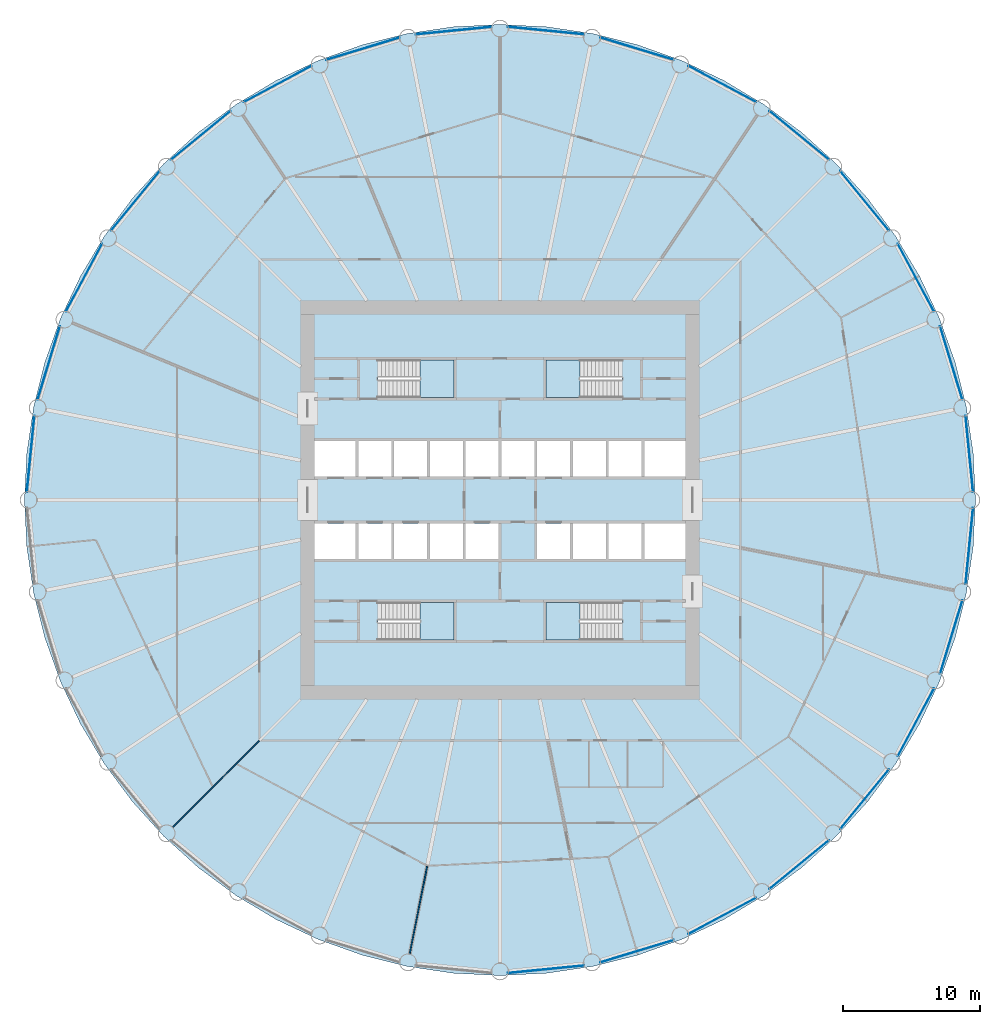
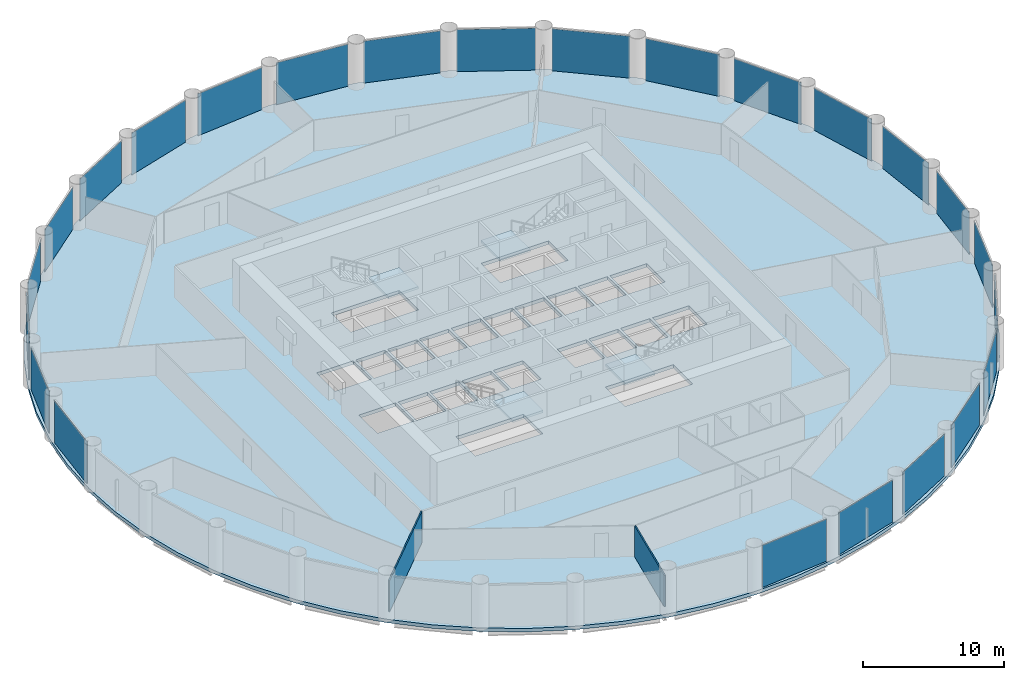
# One storey, part 3 of 8: 24 plates, 5 slabs, 2 walls, 28 elements without a shape of their own.
"""IFC4 building model written with IfcOpenShell, lengths in metres."""

from ifc_helpers import new_model, si_unit, direction, frame, frame_2d, origin, origin_2d, place, context, subcontext, project, spatial, polyline, rectangle, outline, extrude, material, layer, layer_set, type_object, element, aggregate, save


model = new_model("IFC4")

# Units and contexts
model_context = context("Model", 3, precision=1e-05, world=origin(), true_north=direction((0.0, 1.0)))
body_context = subcontext(model_context, "Body", "Model", "MODEL_VIEW")
ifc_project = project(units=[si_unit("LENGTHUNIT", "METRE"), si_unit("AREAUNIT", "SQUARE_METRE"), si_unit("VOLUMEUNIT", "CUBIC_METRE"), si_unit("PLANEANGLEUNIT", "RADIAN"), si_unit("MASSUNIT", "GRAM", prefix="KILO")], contexts=[model_context])

# Site, building, storey
site_placement = place(None, origin())
site = spatial("IfcSite", under=ifc_project, at=site_placement, CompositionType="ELEMENT")
building_placement = place(site_placement, origin())
building = spatial("IfcBuilding", under=site, at=building_placement, Name="Corvane Civic Tower", CompositionType="ELEMENT")
storey_placement = place(building_placement, frame((0.0, 0.0, 94.5)))
storey = spatial("IfcBuildingStorey", under=building, at=storey_placement, Name="L21", CompositionType="ELEMENT", Elevation=94.5)

# Slab
ifc_material_1 = material(Name="Concrete C40/50", Category="concrete")
ifc_layer_1 = layer(ifc_material_1, 0.300048828125)
ifc_layer_set_1 = layer_set([ifc_layer_1], Name="Concrete C40/50")
slab_type_1 = type_object("IfcSlabType", Name="FLOOR SLAB 300", PredefinedType="FLOOR", material=ifc_layer_set_1)
slab_1_placement = place(storey_placement, frame((0.0, 0.0, -0.300048828125)))
element("IfcSlab", 1, at=slab_1_placement, inside=storey, type_object=slab_type_1, Name="SLB-L21", PredefinedType="FLOOR", context=body_context, shape_type="SweptSolid", body=[
    extrude(outline(polyline([(0.0, 34.60009765625), (-3.391357421875, 34.433349609375), (-6.750244140625, 33.93505859375), (-10.0439453125, 33.110107421875), (-13.240966796875, 31.96630859375), (-16.310302734375, 30.514404296875), (-19.22265625, 28.768798828125), (-21.949951171875, 26.74609375), (-24.4658203125, 24.4658203125), (-26.74609375, 21.949951171875), (-28.768798828125, 19.22265625), (-30.514404296875, 16.310302734375), (-31.96630859375, 13.240966796875), (-33.110107421875, 10.0439453125), (-33.93505859375, 6.750244140625), (-34.433349609375, 3.391357421875), (-34.60009765625, 0.0), (-34.433349609375, -3.391357421875), (-33.93505859375, -6.750244140625), (-33.110107421875, -10.0439453125), (-31.96630859375, -13.240966796875), (-30.514404296875, -16.310302734375), (-28.768798828125, -19.22265625), (-26.74609375, -21.949951171875), (-24.4658203125, -24.4658203125), (-21.949951171875, -26.74609375), (-19.22265625, -28.768798828125), (-16.310302734375, -30.514404296875), (-13.240966796875, -31.96630859375), (-10.0439453125, -33.110107421875), (-6.750244140625, -33.93505859375), (-3.391357421875, -34.433349609375), (0.0, -34.60009765625), (3.391357421875, -34.433349609375), (6.750244140625, -33.93505859375), (10.0439453125, -33.110107421875), (13.240966796875, -31.96630859375), (16.310302734375, -30.514404296875), (19.22265625, -28.768798828125), (21.949951171875, -26.74609375), (24.4658203125, -24.4658203125), (26.74609375, -21.949951171875), (28.768798828125, -19.22265625), (30.514404296875, -16.310302734375), (31.96630859375, -13.240966796875), (33.110107421875, -10.0439453125), (33.93505859375, -6.750244140625), (34.433349609375, -3.391357421875), (34.60009765625, 0.0), (34.433349609375, 3.391357421875), (33.93505859375, 6.750244140625), (33.110107421875, 10.0439453125), (31.96630859375, 13.240966796875), (30.514404296875, 16.310302734375), (28.768798828125, 19.22265625), (26.74609375, 21.949951171875), (24.4658203125, 24.4658203125), (21.949951171875, 26.74609375), (19.22265625, 28.768798828125), (16.310302734375, 30.514404296875), (13.240966796875, 31.96630859375), (10.0439453125, 33.110107421875), (6.750244140625, 33.93505859375), (3.391357421875, 34.433349609375), (0.0, 34.60009765625)]), holes=[polyline([(-13.5, 4.300048828125), (-10.5, 4.300048828125), (-10.5, 1.699951171875), (-13.5, 1.699951171875), (-13.5, 4.300048828125)]), polyline([(-7.89990234375, 1.699951171875), (-10.300048828125, 1.699951171875), (-10.300048828125, 4.300048828125), (-7.89990234375, 4.300048828125), (-7.89990234375, 1.699951171875)]), polyline([(-7.699951171875, 4.300048828125), (-5.300048828125, 4.300048828125), (-5.300048828125, 1.699951171875), (-7.699951171875, 1.699951171875), (-7.699951171875, 4.300048828125)]), polyline([(-5.10009765625, 4.300048828125), (-2.699951171875, 4.300048828125), (-2.699951171875, 1.699951171875), (-5.10009765625, 1.699951171875), (-5.10009765625, 4.300048828125)]), polyline([(-0.10009765625, 1.699951171875), (-2.5, 1.699951171875), (-2.5, 4.300048828125), (-0.10009765625, 4.300048828125), (-0.10009765625, 1.699951171875)]), polyline([(2.5, 1.699951171875), (0.10009765625, 1.699951171875), (0.10009765625, 4.300048828125), (2.5, 4.300048828125), (2.5, 1.699951171875)]), polyline([(5.10009765625, 1.699951171875), (2.699951171875, 1.699951171875), (2.699951171875, 4.300048828125), (5.10009765625, 4.300048828125), (5.10009765625, 1.699951171875)]), polyline([(5.300048828125, 4.300048828125), (7.699951171875, 4.300048828125), (7.699951171875, 1.699951171875), (5.300048828125, 1.699951171875), (5.300048828125, 4.300048828125)]), polyline([(7.89990234375, 4.300048828125), (10.300048828125, 4.300048828125), (10.300048828125, 1.699951171875), (7.89990234375, 1.699951171875), (7.89990234375, 4.300048828125)]), polyline([(13.5, 1.699951171875), (10.5, 1.699951171875), (10.5, 4.300048828125), (13.5, 4.300048828125), (13.5, 1.699951171875)]), polyline([(-13.5, -1.699951171875), (-10.5, -1.699951171875), (-10.5, -4.300048828125), (-13.5, -4.300048828125), (-13.5, -1.699951171875)]), polyline([(-7.89990234375, -1.699951171875), (-7.89990234375, -4.300048828125), (-10.300048828125, -4.300048828125), (-10.300048828125, -1.699951171875), (-7.89990234375, -1.699951171875)]), polyline([(-5.300048828125, -1.699951171875), (-5.300048828125, -4.300048828125), (-7.699951171875, -4.300048828125), (-7.699951171875, -1.699951171875), (-5.300048828125, -1.699951171875)]), polyline([(-2.699951171875, -1.699951171875), (-2.699951171875, -4.300048828125), (-5.10009765625, -4.300048828125), (-5.10009765625, -1.699951171875), (-2.699951171875, -1.699951171875)]), polyline([(-2.5, -4.300048828125), (-2.5, -1.699951171875), (-0.10009765625, -1.699951171875), (-0.10009765625, -4.300048828125), (-2.5, -4.300048828125)]), polyline([(5.10009765625, -1.699951171875), (5.10009765625, -4.300048828125), (2.699951171875, -4.300048828125), (2.699951171875, -1.699951171875), (5.10009765625, -1.699951171875)]), polyline([(7.699951171875, -1.699951171875), (7.699951171875, -4.300048828125), (5.300048828125, -4.300048828125), (5.300048828125, -1.699951171875), (7.699951171875, -1.699951171875)]), polyline([(10.300048828125, -1.699951171875), (10.300048828125, -4.300048828125), (7.89990234375, -4.300048828125), (7.89990234375, -1.699951171875), (10.300048828125, -1.699951171875)]), polyline([(13.5, -4.300048828125), (10.5, -4.300048828125), (10.5, -1.699951171875), (13.5, -1.699951171875), (13.5, -4.300048828125)]), polyline([(8.889892578125, 10.199951171875), (8.889892578125, 7.449951171875), (3.35009765625, 7.449951171875), (3.35009765625, 10.199951171875), (8.889892578125, 10.199951171875)]), polyline([(-8.889892578125, 7.449951171875), (-8.889892578125, 10.199951171875), (-3.35009765625, 10.199951171875), (-3.35009765625, 7.449951171875), (-8.889892578125, 7.449951171875)]), polyline([(8.889892578125, -7.449951171875), (8.889892578125, -10.199951171875), (3.35009765625, -10.199951171875), (3.35009765625, -7.449951171875), (8.889892578125, -7.449951171875)]), polyline([(-8.889892578125, -10.199951171875), (-8.889892578125, -7.449951171875), (-3.35009765625, -7.449951171875), (-3.35009765625, -10.199951171875), (-8.889892578125, -10.199951171875)])]), origin(), (0.0, 0.0, 1.0), 0.300048828125),
])

# Stair, slab
ifc_material_2 = material(Name="Concrete C40/50", Category="concrete")
stair_type = type_object("IfcStairType", Name="ST-STAIR-HALFTURN", PredefinedType="HALF_TURN_STAIR", material=ifc_material_2)
stair_1_placement = place(storey_placement, origin())
stair_1 = element("IfcStair", 2, at=stair_1_placement, inside=storey, type_object=stair_type, Name="L21 Exit stair ST1", PredefinedType="HALF_TURN_STAIR")
ifc_material_3 = material(Name="Concrete C40/50", Category="concrete")
ifc_layer_2 = layer(ifc_material_3, 0.199951171875)
ifc_layer_set_2 = layer_set([ifc_layer_2], Name="Concrete C40/50")
slab_type_2 = type_object("IfcSlabType", Name="ST-LANDING-RC", PredefinedType="LANDING", material=ifc_layer_set_2)
slab_2_placement = place(storey_placement, frame((0.0, 0.0, 1.800048828125)))
slab_2 = element("IfcSlab", 3, at=slab_2_placement, type_object=slab_type_2, Name="ST1 landing 1", PredefinedType="LANDING", context=body_context, shape_type="SweptSolid", body=[
    extrude(outline(polyline([(5.820068359375, 10.199951171875), (3.35009765625, 10.199951171875), (3.35009765625, 7.449951171875), (5.820068359375, 7.449951171875), (5.820068359375, 10.199951171875)])), origin(), (0.0, 0.0, 1.0), 0.199951171875),
])
aggregate(stair_1, [slab_2])

stair_2_placement = place(storey_placement, origin())
stair_2 = element("IfcStair", 4, at=stair_2_placement, inside=storey, type_object=stair_type, Name="L21 Exit stair ST2", PredefinedType="HALF_TURN_STAIR")
slab_3_placement = place(storey_placement, frame((0.0, 0.0, 1.800048828125)))
slab_3 = element("IfcSlab", 5, at=slab_3_placement, type_object=slab_type_2, Name="ST2 landing 1", PredefinedType="LANDING", context=body_context, shape_type="SweptSolid", body=[
    extrude(outline(polyline([(5.820068359375, -7.449951171875), (3.35009765625, -7.449951171875), (3.35009765625, -10.199951171875), (5.820068359375, -10.199951171875), (5.820068359375, -7.449951171875)])), origin(), (0.0, 0.0, 1.0), 0.199951171875),
])
aggregate(stair_2, [slab_3])

stair_3_placement = place(storey_placement, origin())
stair_3 = element("IfcStair", 6, at=stair_3_placement, inside=storey, type_object=stair_type, Name="L21 Exit stair ST3", PredefinedType="HALF_TURN_STAIR")
slab_4_placement = place(storey_placement, frame((0.0, 0.0, 1.800048828125)))
slab_4 = element("IfcSlab", 7, at=slab_4_placement, type_object=slab_type_2, Name="ST3 landing 1", PredefinedType="LANDING", context=body_context, shape_type="SweptSolid", body=[
    extrude(outline(polyline([(-5.820068359375, -10.199951171875), (-3.35009765625, -10.199951171875), (-3.35009765625, -7.449951171875), (-5.820068359375, -7.449951171875), (-5.820068359375, -10.199951171875)])), origin(), (0.0, 0.0, 1.0), 0.199951171875),
])
aggregate(stair_3, [slab_4])

stair_4_placement = place(storey_placement, origin())
stair_4 = element("IfcStair", 8, at=stair_4_placement, inside=storey, type_object=stair_type, Name="L21 Exit stair ST4", PredefinedType="HALF_TURN_STAIR")
slab_5_placement = place(storey_placement, frame((0.0, 0.0, 1.800048828125)))
slab_5 = element("IfcSlab", 9, at=slab_5_placement, type_object=slab_type_2, Name="ST4 landing 1", PredefinedType="LANDING", context=body_context, shape_type="SweptSolid", body=[
    extrude(outline(polyline([(-5.820068359375, 7.449951171875), (-3.35009765625, 7.449951171875), (-3.35009765625, 10.199951171875), (-5.820068359375, 10.199951171875), (-5.820068359375, 7.449951171875)])), origin(), (0.0, 0.0, 1.0), 0.199951171875),
])
aggregate(stair_4, [slab_5])

# Curtain wall, plate
ifc_material_4 = material(Name="Anodised aluminium bronze", Category="aluminium")
curtain_wall_type = type_object("IfcCurtainWallType", Name="TOWER CW-T1 STICK CURTAIN WALL", PredefinedType="NOTDEFINED", material=ifc_material_4)
curtain_wall_1_placement = place(storey_placement, origin())
curtain_wall_1 = element("IfcCurtainWall", 10, at=curtain_wall_1_placement, inside=storey, type_object=curtain_wall_type, Name="Curtain wall CW-T1 L21 bay 01", PredefinedType="NOTDEFINED")
ifc_material_5 = material(Name="Tinted glass", Category="glass")
ifc_layer_3 = layer(ifc_material_5, 0.035888671875)
ifc_layer_set_3 = layer_set([ifc_layer_3], Name="Tinted glass")
plate_type = type_object("IfcPlateType", Name="TOWER CW-T1 PANEL IGU36", PredefinedType="CURTAIN_PANEL", material=ifc_layer_set_3)
plate_1_placement = place(storey_placement, frame((3.36328125, 34.148681640625, 0.0), z_axis=(0.0, 0.0, 1.0), x_axis=(0.995183788169, -0.098026668644, 0.0)))
plate_1 = element("IfcPlate", 11, at=plate_1_placement, type_object=plate_type, Name="Glass panel CW-T1 L21 01.1", PredefinedType="CURTAIN_PANEL", context=body_context, shape_type="SweptSolid", body=[
    extrude(rectangle(XDim=5.58642578125, YDim=0.035888671875, at=origin_2d()), origin(), (0.0, 0.0, 1.0), 3.6298828125),
])
aggregate(curtain_wall_1, [plate_1])

curtain_wall_2_placement = place(storey_placement, origin())
curtain_wall_2 = element("IfcCurtainWall", 12, at=curtain_wall_2_placement, inside=storey, type_object=curtain_wall_type, Name="Curtain wall CW-T1 L21 bay 02", PredefinedType="NOTDEFINED")
plate_2_placement = place(storey_placement, frame((9.9609375, 32.83642578125, 0.0), z_axis=(0.0, 0.0, 1.0), x_axis=(0.956945991488, -0.290266032073, 0.0)))
plate_2 = element("IfcPlate", 13, at=plate_2_placement, type_object=plate_type, Name="Glass panel CW-T1 L21 02.1", PredefinedType="CURTAIN_PANEL", context=body_context, shape_type="SweptSolid", body=[
    extrude(rectangle(XDim=5.58642578125, YDim=0.035888671875, at=origin_2d()), origin(), (0.0, 0.0, 1.0), 3.6298828125),
])
aggregate(curtain_wall_2, [plate_2])

curtain_wall_3_placement = place(storey_placement, origin())
curtain_wall_3 = element("IfcCurtainWall", 14, at=curtain_wall_3_placement, inside=storey, type_object=curtain_wall_type, Name="Curtain wall CW-T1 L21 bay 03", PredefinedType="NOTDEFINED")
plate_3_placement = place(storey_placement, frame((16.175537109375, 30.26220703125, 0.0), z_axis=(0.0, 0.0, 1.0), x_axis=(0.881923642976, -0.471392286699, 0.0)))
plate_3 = element("IfcPlate", 15, at=plate_3_placement, type_object=plate_type, Name="Glass panel CW-T1 L21 03.1", PredefinedType="CURTAIN_PANEL", context=body_context, shape_type="SweptSolid", body=[
    extrude(rectangle(XDim=5.586669921875, YDim=0.035888671875, at=origin_2d()), origin(), (0.0, 0.0, 1.0), 3.6298828125),
])
aggregate(curtain_wall_3, [plate_3])

curtain_wall_4_placement = place(storey_placement, origin())
curtain_wall_4 = element("IfcCurtainWall", 16, at=curtain_wall_4_placement, inside=storey, type_object=curtain_wall_type, Name="Curtain wall CW-T1 L21 bay 04", PredefinedType="NOTDEFINED")
plate_4_placement = place(storey_placement, frame((21.7685546875, 26.525146484375, 0.0), z_axis=(0.0, 0.0, 1.0), x_axis=(0.773013419843, -0.63438966948, 0.0)))
plate_4 = element("IfcPlate", 17, at=plate_4_placement, type_object=plate_type, Name="Glass panel CW-T1 L21 04.1", PredefinedType="CURTAIN_PANEL", context=body_context, shape_type="SweptSolid", body=[
    extrude(rectangle(XDim=5.58642578125, YDim=0.035888671875, at=origin_2d()), origin(), (0.0, 0.0, 1.0), 3.6298828125),
])
aggregate(curtain_wall_4, [plate_4])

curtain_wall_5_placement = place(storey_placement, origin())
curtain_wall_5 = element("IfcCurtainWall", 18, at=curtain_wall_5_placement, inside=storey, type_object=curtain_wall_type, Name="Curtain wall CW-T1 L21 bay 05", PredefinedType="NOTDEFINED")
plate_5_placement = place(storey_placement, frame((26.525146484375, 21.7685546875, 0.0), z_axis=(0.0, 0.0, 1.0), x_axis=(0.63438966948, -0.773013419843, 0.0)))
plate_5 = element("IfcPlate", 19, at=plate_5_placement, type_object=plate_type, Name="Glass panel CW-T1 L21 05.1", PredefinedType="CURTAIN_PANEL", context=body_context, shape_type="SweptSolid", body=[
    extrude(rectangle(XDim=5.58642578125, YDim=0.035888671875, at=origin_2d()), origin(), (0.0, 0.0, 1.0), 3.6298828125),
])
aggregate(curtain_wall_5, [plate_5])

curtain_wall_6_placement = place(storey_placement, origin())
curtain_wall_6 = element("IfcCurtainWall", 20, at=curtain_wall_6_placement, inside=storey, type_object=curtain_wall_type, Name="Curtain wall CW-T1 L21 bay 06", PredefinedType="NOTDEFINED")
plate_6_placement = place(storey_placement, frame((30.26220703125, 16.175537109375, 0.0), z_axis=(0.0, 0.0, 1.0), x_axis=(0.471392286699, -0.881923642976, 0.0)))
plate_6 = element("IfcPlate", 21, at=plate_6_placement, type_object=plate_type, Name="Glass panel CW-T1 L21 06.1", PredefinedType="CURTAIN_PANEL", context=body_context, shape_type="SweptSolid", body=[
    extrude(rectangle(XDim=5.586669921875, YDim=0.035888671875, at=origin_2d()), origin(), (0.0, 0.0, 1.0), 3.6298828125),
])
aggregate(curtain_wall_6, [plate_6])

curtain_wall_7_placement = place(storey_placement, origin())
curtain_wall_7 = element("IfcCurtainWall", 22, at=curtain_wall_7_placement, inside=storey, type_object=curtain_wall_type, Name="Curtain wall CW-T1 L21 bay 07", PredefinedType="NOTDEFINED")
plate_7_placement = place(storey_placement, frame((32.83642578125, 9.9609375, 0.0), z_axis=(0.0, 0.0, 1.0), x_axis=(0.290266032073, -0.956945991488, 0.0)))
plate_7 = element("IfcPlate", 23, at=plate_7_placement, type_object=plate_type, Name="Glass panel CW-T1 L21 07.1", PredefinedType="CURTAIN_PANEL", context=body_context, shape_type="SweptSolid", body=[
    extrude(rectangle(XDim=5.58642578125, YDim=0.035888671875, at=origin_2d()), origin(), (0.0, 0.0, 1.0), 3.6298828125),
])
aggregate(curtain_wall_7, [plate_7])

curtain_wall_8_placement = place(storey_placement, origin())
curtain_wall_8 = element("IfcCurtainWall", 24, at=curtain_wall_8_placement, inside=storey, type_object=curtain_wall_type, Name="Curtain wall CW-T1 L21 bay 08", PredefinedType="NOTDEFINED")
plate_8_placement = place(storey_placement, frame((34.148681640625, 3.36328125, 0.0), z_axis=(0.0, 0.0, 1.0), x_axis=(0.098026668644, -0.995183788169, 0.0)))
plate_8 = element("IfcPlate", 25, at=plate_8_placement, type_object=plate_type, Name="Glass panel CW-T1 L21 08.1", PredefinedType="CURTAIN_PANEL", context=body_context, shape_type="SweptSolid", body=[
    extrude(rectangle(XDim=5.58642578125, YDim=0.035888671875, at=origin_2d()), origin(), (0.0, 0.0, 1.0), 3.6298828125),
])
aggregate(curtain_wall_8, [plate_8])

curtain_wall_9_placement = place(storey_placement, origin())
curtain_wall_9 = element("IfcCurtainWall", 26, at=curtain_wall_9_placement, inside=storey, type_object=curtain_wall_type, Name="Curtain wall CW-T1 L21 bay 09", PredefinedType="NOTDEFINED")
plate_9_placement = place(storey_placement, frame((34.148681640625, -3.36328125, 0.0), z_axis=(0.0, 0.0, 1.0), x_axis=(-0.098026668644, -0.995183788169, 0.0)))
plate_9 = element("IfcPlate", 27, at=plate_9_placement, type_object=plate_type, Name="Glass panel CW-T1 L21 09.1", PredefinedType="CURTAIN_PANEL", context=body_context, shape_type="SweptSolid", body=[
    extrude(rectangle(XDim=5.58642578125, YDim=0.035888671875, at=origin_2d()), origin(), (0.0, 0.0, 1.0), 3.6298828125),
])
aggregate(curtain_wall_9, [plate_9])

curtain_wall_10_placement = place(storey_placement, origin())
curtain_wall_10 = element("IfcCurtainWall", 28, at=curtain_wall_10_placement, inside=storey, type_object=curtain_wall_type, Name="Curtain wall CW-T1 L21 bay 10", PredefinedType="NOTDEFINED")
plate_10_placement = place(storey_placement, frame((32.83642578125, -9.9609375, 0.0), z_axis=(0.0, 0.0, 1.0), x_axis=(-0.290266032073, -0.956945991488, 0.0)))
plate_10 = element("IfcPlate", 29, at=plate_10_placement, type_object=plate_type, Name="Glass panel CW-T1 L21 10.1", PredefinedType="CURTAIN_PANEL", context=body_context, shape_type="SweptSolid", body=[
    extrude(rectangle(XDim=5.58642578125, YDim=0.035888671875, at=origin_2d()), origin(), (0.0, 0.0, 1.0), 3.6298828125),
])
aggregate(curtain_wall_10, [plate_10])

curtain_wall_11_placement = place(storey_placement, origin())
curtain_wall_11 = element("IfcCurtainWall", 30, at=curtain_wall_11_placement, inside=storey, type_object=curtain_wall_type, Name="Curtain wall CW-T1 L21 bay 11", PredefinedType="NOTDEFINED")
plate_11_placement = place(storey_placement, frame((30.26220703125, -16.175537109375, 0.0), z_axis=(0.0, 0.0, 1.0), x_axis=(-0.471392286699, -0.881923642976, 0.0)))
plate_11 = element("IfcPlate", 31, at=plate_11_placement, type_object=plate_type, Name="Glass panel CW-T1 L21 11.1", PredefinedType="CURTAIN_PANEL", context=body_context, shape_type="SweptSolid", body=[
    extrude(rectangle(XDim=5.586669921875, YDim=0.035888671875, at=origin_2d()), origin(), (0.0, 0.0, 1.0), 3.6298828125),
])
aggregate(curtain_wall_11, [plate_11])

curtain_wall_12_placement = place(storey_placement, origin())
curtain_wall_12 = element("IfcCurtainWall", 32, at=curtain_wall_12_placement, inside=storey, type_object=curtain_wall_type, Name="Curtain wall CW-T1 L21 bay 12", PredefinedType="NOTDEFINED")
plate_12_placement = place(storey_placement, frame((26.525146484375, -21.7685546875, 0.0), z_axis=(0.0, 0.0, 1.0), x_axis=(-0.63438966948, -0.773013419843, 0.0)))
plate_12 = element("IfcPlate", 33, at=plate_12_placement, type_object=plate_type, Name="Glass panel CW-T1 L21 12.1", PredefinedType="CURTAIN_PANEL", context=body_context, shape_type="SweptSolid", body=[
    extrude(rectangle(XDim=5.58642578125, YDim=0.035888671875, at=origin_2d()), origin(), (0.0, 0.0, 1.0), 3.6298828125),
])
aggregate(curtain_wall_12, [plate_12])

curtain_wall_13_placement = place(storey_placement, origin())
curtain_wall_13 = element("IfcCurtainWall", 34, at=curtain_wall_13_placement, inside=storey, type_object=curtain_wall_type, Name="Curtain wall CW-T1 L21 bay 13", PredefinedType="NOTDEFINED")
plate_13_placement = place(storey_placement, frame((21.7685546875, -26.525146484375, 0.0), z_axis=(0.0, 0.0, 1.0), x_axis=(-0.773013419843, -0.63438966948, 0.0)))
plate_13 = element("IfcPlate", 35, at=plate_13_placement, type_object=plate_type, Name="Glass panel CW-T1 L21 13.1", PredefinedType="CURTAIN_PANEL", context=body_context, shape_type="SweptSolid", body=[
    extrude(rectangle(XDim=5.58642578125, YDim=0.035888671875, at=origin_2d()), origin(), (0.0, 0.0, 1.0), 3.6298828125),
])
aggregate(curtain_wall_13, [plate_13])

curtain_wall_14_placement = place(storey_placement, origin())
curtain_wall_14 = element("IfcCurtainWall", 36, at=curtain_wall_14_placement, inside=storey, type_object=curtain_wall_type, Name="Curtain wall CW-T1 L21 bay 14", PredefinedType="NOTDEFINED")
plate_14_placement = place(storey_placement, frame((16.175537109375, -30.26220703125, 0.0), z_axis=(0.0, 0.0, 1.0), x_axis=(-0.881923642976, -0.471392286699, 0.0)))
plate_14 = element("IfcPlate", 37, at=plate_14_placement, type_object=plate_type, Name="Glass panel CW-T1 L21 14.1", PredefinedType="CURTAIN_PANEL", context=body_context, shape_type="SweptSolid", body=[
    extrude(rectangle(XDim=5.586669921875, YDim=0.035888671875, at=origin_2d()), origin(), (0.0, 0.0, 1.0), 3.6298828125),
])
aggregate(curtain_wall_14, [plate_14])

curtain_wall_15_placement = place(storey_placement, origin())
curtain_wall_15 = element("IfcCurtainWall", 38, at=curtain_wall_15_placement, inside=storey, type_object=curtain_wall_type, Name="Curtain wall CW-T1 L21 bay 15", PredefinedType="NOTDEFINED")
plate_15_placement = place(storey_placement, frame((9.9609375, -32.83642578125, 0.0), z_axis=(0.0, 0.0, 1.0), x_axis=(-0.956945991488, -0.290266032073, 0.0)))
plate_15 = element("IfcPlate", 39, at=plate_15_placement, type_object=plate_type, Name="Glass panel CW-T1 L21 15.1", PredefinedType="CURTAIN_PANEL", context=body_context, shape_type="SweptSolid", body=[
    extrude(rectangle(XDim=5.58642578125, YDim=0.035888671875, at=origin_2d()), origin(), (0.0, 0.0, 1.0), 3.6298828125),
])
aggregate(curtain_wall_15, [plate_15])

curtain_wall_16_placement = place(storey_placement, origin())
curtain_wall_16 = element("IfcCurtainWall", 40, at=curtain_wall_16_placement, inside=storey, type_object=curtain_wall_type, Name="Curtain wall CW-T1 L21 bay 16", PredefinedType="NOTDEFINED")
plate_16_placement = place(storey_placement, frame((3.36328125, -34.148681640625, 0.0), z_axis=(0.0, 0.0, 1.0), x_axis=(-0.995183788169, -0.098026668644, 0.0)))
plate_16 = element("IfcPlate", 41, at=plate_16_placement, type_object=plate_type, Name="Glass panel CW-T1 L21 16.1", PredefinedType="CURTAIN_PANEL", context=body_context, shape_type="SweptSolid", body=[
    extrude(rectangle(XDim=5.58642578125, YDim=0.035888671875, at=origin_2d()), origin(), (0.0, 0.0, 1.0), 3.6298828125),
])
aggregate(curtain_wall_16, [plate_16])

curtain_wall_17_placement = place(storey_placement, origin())
curtain_wall_17 = element("IfcCurtainWall", 42, at=curtain_wall_17_placement, inside=storey, type_object=curtain_wall_type, Name="Curtain wall CW-T1 L21 bay 25", PredefinedType="NOTDEFINED")
plate_17_placement = place(storey_placement, frame((-34.148681640625, 3.36328125, 0.0), z_axis=(0.0, 0.0, 1.0), x_axis=(0.098026668644, 0.995183788169, 0.0)))
plate_17 = element("IfcPlate", 43, at=plate_17_placement, type_object=plate_type, Name="Glass panel CW-T1 L21 25.1", PredefinedType="CURTAIN_PANEL", context=body_context, shape_type="SweptSolid", body=[
    extrude(rectangle(XDim=5.58642578125, YDim=0.035888671875, at=origin_2d()), origin(), (0.0, 0.0, 1.0), 3.6298828125),
])
aggregate(curtain_wall_17, [plate_17])

curtain_wall_18_placement = place(storey_placement, origin())
curtain_wall_18 = element("IfcCurtainWall", 44, at=curtain_wall_18_placement, inside=storey, type_object=curtain_wall_type, Name="Curtain wall CW-T1 L21 bay 26", PredefinedType="NOTDEFINED")
plate_18_placement = place(storey_placement, frame((-32.83642578125, 9.9609375, 0.0), z_axis=(0.0, 0.0, 1.0), x_axis=(0.290266032073, 0.956945991488, 0.0)))
plate_18 = element("IfcPlate", 45, at=plate_18_placement, type_object=plate_type, Name="Glass panel CW-T1 L21 26.1", PredefinedType="CURTAIN_PANEL", context=body_context, shape_type="SweptSolid", body=[
    extrude(rectangle(XDim=5.58642578125, YDim=0.035888671875, at=origin_2d()), origin(), (0.0, 0.0, 1.0), 3.6298828125),
])
aggregate(curtain_wall_18, [plate_18])

curtain_wall_19_placement = place(storey_placement, origin())
curtain_wall_19 = element("IfcCurtainWall", 46, at=curtain_wall_19_placement, inside=storey, type_object=curtain_wall_type, Name="Curtain wall CW-T1 L21 bay 27", PredefinedType="NOTDEFINED")
plate_19_placement = place(storey_placement, frame((-30.26220703125, 16.175537109375, 0.0), z_axis=(0.0, 0.0, 1.0), x_axis=(0.471392286699, 0.881923642976, 0.0)))
plate_19 = element("IfcPlate", 47, at=plate_19_placement, type_object=plate_type, Name="Glass panel CW-T1 L21 27.1", PredefinedType="CURTAIN_PANEL", context=body_context, shape_type="SweptSolid", body=[
    extrude(rectangle(XDim=5.586669921875, YDim=0.035888671875, at=origin_2d()), origin(), (0.0, 0.0, 1.0), 3.6298828125),
])
aggregate(curtain_wall_19, [plate_19])

curtain_wall_20_placement = place(storey_placement, origin())
curtain_wall_20 = element("IfcCurtainWall", 48, at=curtain_wall_20_placement, inside=storey, type_object=curtain_wall_type, Name="Curtain wall CW-T1 L21 bay 28", PredefinedType="NOTDEFINED")
plate_20_placement = place(storey_placement, frame((-26.525146484375, 21.7685546875, 0.0), z_axis=(0.0, 0.0, 1.0), x_axis=(0.63438966948, 0.773013419843, 0.0)))
plate_20 = element("IfcPlate", 49, at=plate_20_placement, type_object=plate_type, Name="Glass panel CW-T1 L21 28.1", PredefinedType="CURTAIN_PANEL", context=body_context, shape_type="SweptSolid", body=[
    extrude(rectangle(XDim=5.58642578125, YDim=0.035888671875, at=origin_2d()), origin(), (0.0, 0.0, 1.0), 3.6298828125),
])
aggregate(curtain_wall_20, [plate_20])

curtain_wall_21_placement = place(storey_placement, origin())
curtain_wall_21 = element("IfcCurtainWall", 50, at=curtain_wall_21_placement, inside=storey, type_object=curtain_wall_type, Name="Curtain wall CW-T1 L21 bay 29", PredefinedType="NOTDEFINED")
plate_21_placement = place(storey_placement, frame((-21.7685546875, 26.525146484375, 0.0), z_axis=(0.0, 0.0, 1.0), x_axis=(0.773013419843, 0.63438966948, 0.0)))
plate_21 = element("IfcPlate", 51, at=plate_21_placement, type_object=plate_type, Name="Glass panel CW-T1 L21 29.1", PredefinedType="CURTAIN_PANEL", context=body_context, shape_type="SweptSolid", body=[
    extrude(rectangle(XDim=5.58642578125, YDim=0.035888671875, at=origin_2d()), origin(), (0.0, 0.0, 1.0), 3.6298828125),
])
aggregate(curtain_wall_21, [plate_21])

curtain_wall_22_placement = place(storey_placement, origin())
curtain_wall_22 = element("IfcCurtainWall", 52, at=curtain_wall_22_placement, inside=storey, type_object=curtain_wall_type, Name="Curtain wall CW-T1 L21 bay 30", PredefinedType="NOTDEFINED")
plate_22_placement = place(storey_placement, frame((-16.175537109375, 30.26220703125, 0.0), z_axis=(0.0, 0.0, 1.0), x_axis=(0.881923642976, 0.471392286699, 0.0)))
plate_22 = element("IfcPlate", 53, at=plate_22_placement, type_object=plate_type, Name="Glass panel CW-T1 L21 30.1", PredefinedType="CURTAIN_PANEL", context=body_context, shape_type="SweptSolid", body=[
    extrude(rectangle(XDim=5.586669921875, YDim=0.035888671875, at=origin_2d()), origin(), (0.0, 0.0, 1.0), 3.6298828125),
])
aggregate(curtain_wall_22, [plate_22])

curtain_wall_23_placement = place(storey_placement, origin())
curtain_wall_23 = element("IfcCurtainWall", 54, at=curtain_wall_23_placement, inside=storey, type_object=curtain_wall_type, Name="Curtain wall CW-T1 L21 bay 31", PredefinedType="NOTDEFINED")
plate_23_placement = place(storey_placement, frame((-9.9609375, 32.83642578125, 0.0), z_axis=(0.0, 0.0, 1.0), x_axis=(0.956945991488, 0.290266032073, 0.0)))
plate_23 = element("IfcPlate", 55, at=plate_23_placement, type_object=plate_type, Name="Glass panel CW-T1 L21 31.1", PredefinedType="CURTAIN_PANEL", context=body_context, shape_type="SweptSolid", body=[
    extrude(rectangle(XDim=5.58642578125, YDim=0.035888671875, at=origin_2d()), origin(), (0.0, 0.0, 1.0), 3.6298828125),
])
aggregate(curtain_wall_23, [plate_23])

curtain_wall_24_placement = place(storey_placement, origin())
curtain_wall_24 = element("IfcCurtainWall", 56, at=curtain_wall_24_placement, inside=storey, type_object=curtain_wall_type, Name="Curtain wall CW-T1 L21 bay 32", PredefinedType="NOTDEFINED")
plate_24_placement = place(storey_placement, frame((-3.36328125, 34.148681640625, 0.0), z_axis=(0.0, 0.0, 1.0), x_axis=(0.995183788169, 0.098026668644, 0.0)))
plate_24 = element("IfcPlate", 57, at=plate_24_placement, type_object=plate_type, Name="Glass panel CW-T1 L21 32.1", PredefinedType="CURTAIN_PANEL", context=body_context, shape_type="SweptSolid", body=[
    extrude(rectangle(XDim=5.58642578125, YDim=0.035888671875, at=origin_2d()), origin(), (0.0, 0.0, 1.0), 3.6298828125),
])
aggregate(curtain_wall_24, [plate_24])

# Walls
ifc_material_6 = material(Name="Plasterboard")
ifc_layer_4 = layer(ifc_material_6, 0.10009765625)
ifc_layer_set_4 = layer_set([ifc_layer_4], Name="Plasterboard")
wall_type = type_object("IfcWallType", Name="Partition 100 plasterboard on studs", PredefinedType="PARTITIONING", material=ifc_layer_set_4)
wall_1_placement = place(storey_placement, frame((-6.567626953125, -33.01806640625, 0.0), z_axis=(0.0, 0.0, 1.0), x_axis=(0.195102376112, 0.980782882617, 0.0)))
element("IfcWall", 58, at=wall_1_placement, inside=storey, type_object=wall_type, Name="Partition L21.002", PredefinedType="PARTITIONING", context=body_context, shape_type="SweptSolid", body=[
    extrude(rectangle(XDim=6.484375, YDim=0.10009765625, at=frame_2d((3.2421875, 0.0))), origin(), (0.0, 0.0, 1.0), 2.699951171875),
])
wall_2_placement = place(storey_placement, frame((-23.8046875, -23.8046875, 0.0), z_axis=(0.0, 0.0, 1.0), x_axis=(0.707106781187, 0.707106781187, 0.0)))
element("IfcWall", 59, at=wall_2_placement, inside=storey, type_object=wall_type, Name="Partition L21.007", PredefinedType="PARTITIONING", context=body_context, shape_type="SweptSolid", body=[
    extrude(rectangle(XDim=8.8955078125, YDim=0.10009765625, at=frame_2d((4.44775390625, 0.0))), origin(), (0.0, 0.0, 1.0), 2.699951171875),
])

save(model, "model.ifc")
